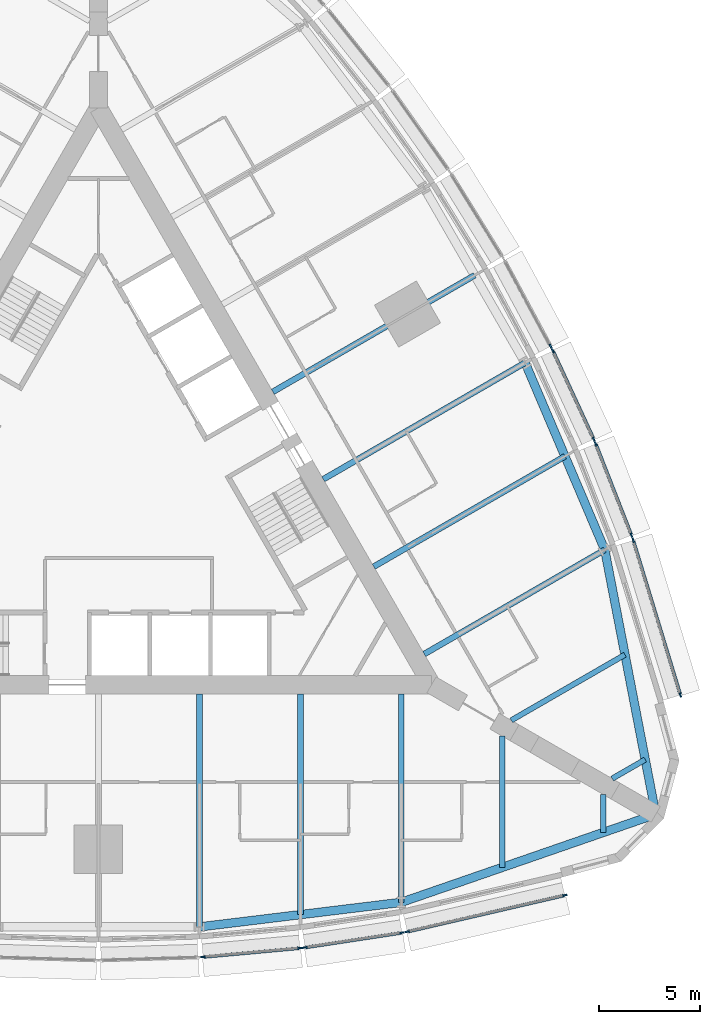
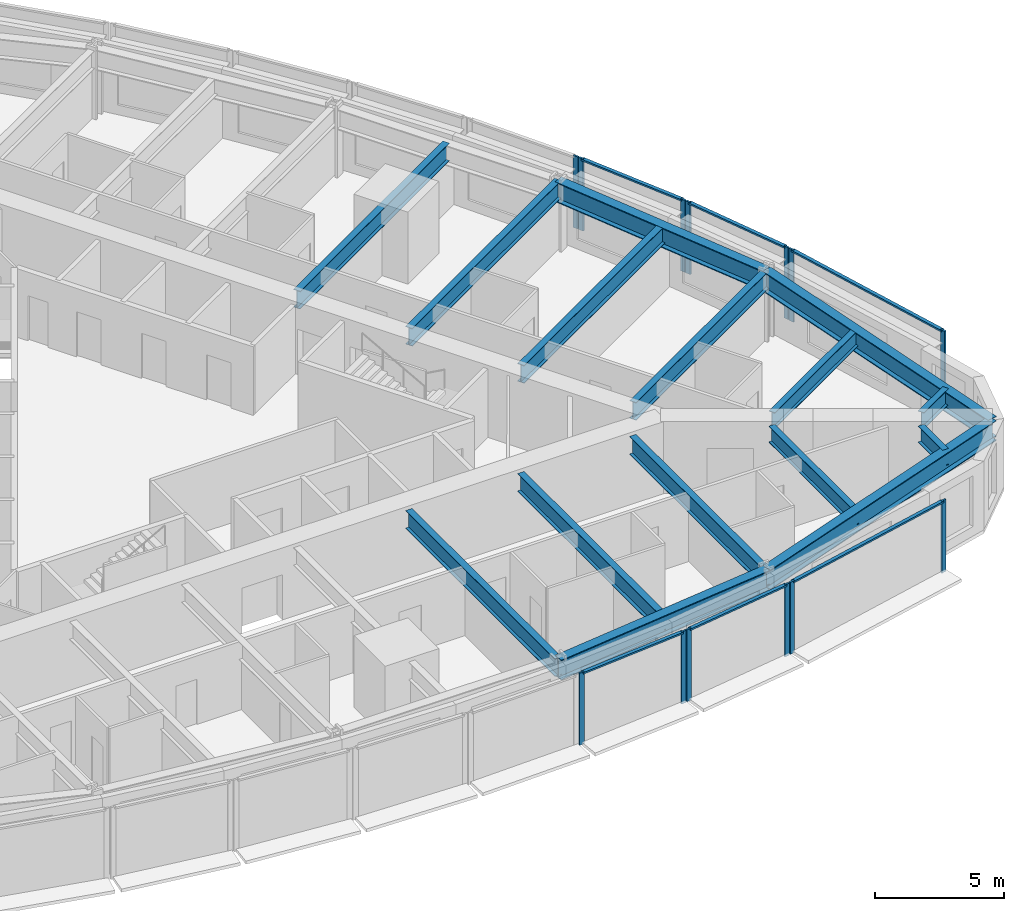
# One storey, part 3 of 14: 19 members, 15 beams, 7 elements without a shape of their own.
"""IFC4 building model written with IfcOpenShell, lengths in metres."""

import ifcopenshell
import ifcopenshell.guid

model = None  # the IFC model being written
_history = None  # IfcOwnerHistory: only IFC2X3 demands one
_inside = {}  # id of a spatial element -> (the spatial element, [elements in it])
_under = {}  # id of a project, library or spatial element -> (it, [spatial elements below it])
_declared = {}  # id of a project -> (the project, [libraries it declares])
_typed = {}  # id of a type object -> (the type object, [elements of that type])
_made_of = {}  # id of a material, layer set ... -> (it, [elements and type objects made of it])


def new_model(schema):
    """Start an empty IFC model of exactly this schema.

    Asked for "IFC4X3", IfcOpenShell would pick the latest addendum, in which some entities
    have other attributes; the version numbers below select the first issue.
    IFC2X3 requires an IfcOwnerHistory on every rooted entity: one is made here for all.
    """
    global model, _history
    if schema == "IFC4X3":
        model = ifcopenshell.file(schema_version=(4, 3, 0, 0))
    else:
        model = ifcopenshell.file(schema=schema)
    _inside.clear()
    _under.clear()
    _declared.clear()
    _typed.clear()
    _made_of.clear()
    _history = None
    if model.schema == "IFC2X3":
        org = make("IfcOrganization", Name="unknown")
        user = make(
            "IfcPersonAndOrganization",
            ThePerson=make("IfcPerson", FamilyName="unknown"),
            TheOrganization=org,
        )
        app = make(
            "IfcApplication",
            ApplicationDeveloper=org,
            Version="unknown",
            ApplicationFullName="unknown",
            ApplicationIdentifier="unknown",
        )
        _history = make(
            "IfcOwnerHistory",
            OwningUser=user,
            OwningApplication=app,
            ChangeAction="ADDED",
            CreationDate=0,
        )
    return model


def make(cls, **values):
    """One entity of the class cls with the attributes given. An attribute that is None is left unset."""
    return model.create_entity(
        cls, **{name: value for name, value in values.items() if value is not None}
    )


def rooted(cls, **values):
    """An entity with a GlobalId (a new one), such as an element, a storey or a relation."""
    return make(cls, GlobalId=ifcopenshell.guid.new(), OwnerHistory=_history, **values)


def si_unit(unit_type, name, prefix=None):
    """IfcSIUnit, for example si_unit("LENGTHUNIT", "METRE", prefix="MILLI")."""
    return make("IfcSIUnit", UnitType=unit_type, Prefix=prefix, Name=name)


def assignment(units):
    """IfcUnitAssignment: the units of a project."""
    return None if units is None else make("IfcUnitAssignment", Units=units)


def point(xyz):
    """IfcCartesianPoint."""
    return None if xyz is None else make("IfcCartesianPoint", Coordinates=xyz)


def direction(xyz):
    """IfcDirection."""
    return None if xyz is None else make("IfcDirection", DirectionRatios=xyz)


def frame(location, z_axis=None, x_axis=None):
    """IfcAxis2Placement3D, a coordinate frame: its origin and axes. An axis left out is left unset."""
    return make(
        "IfcAxis2Placement3D",
        Location=point(location),
        Axis=direction(z_axis),
        RefDirection=direction(x_axis),
    )


def frame_2d(location, x_axis=None):
    """IfcAxis2Placement2D, a coordinate frame in the plane: its origin and x axis."""
    return make(
        "IfcAxis2Placement2D", Location=point(location), RefDirection=direction(x_axis)
    )


def origin():
    """The frame at (0, 0, 0) with its axes left unset."""
    return frame((0.0, 0.0, 0.0))


def origin_2d():
    """The frame at (0, 0) in the plane with its x axis left unset."""
    return frame_2d((0.0, 0.0))


def place(relative_to, where):
    """IfcLocalPlacement: puts the frame where relative to a parent placement (None: the world)."""
    return make(
        "IfcLocalPlacement", PlacementRelTo=relative_to, RelativePlacement=where
    )


def context(
    kind, dimensions, precision=None, world=None, true_north=None, identifier=None
):
    """IfcGeometricRepresentationContext, for example the 3D "Model" context."""
    return make(
        "IfcGeometricRepresentationContext",
        ContextIdentifier=identifier,
        ContextType=kind,
        CoordinateSpaceDimension=dimensions,
        Precision=precision,
        WorldCoordinateSystem=world,
        TrueNorth=true_north,
    )


def subcontext(parent, identifier, kind, view, scale=None):
    """IfcGeometricRepresentationSubContext, for example "Body" below "Model"."""
    return make(
        "IfcGeometricRepresentationSubContext",
        ContextIdentifier=identifier,
        ContextType=kind,
        ParentContext=parent,
        TargetScale=scale,
        TargetView=view,
    )


def project(units=None, contexts=None):
    """IfcProject with its units and contexts."""
    return rooted(
        "IfcProject",
        Name="project",
        RepresentationContexts=contexts,
        UnitsInContext=assignment(units),
    )


def spatial(cls, under=None, at=None, **own):
    """A site, building, storey or space (cls), placed at a placement, below another one or the project."""
    s = rooted(cls, ObjectPlacement=at, **own)
    if under is not None:
        _under.setdefault(under.id(), (under, []))[1].append(s)
    return s


def profile(cls, at=None, kind="AREA", **sizes):
    """A parametric profile (cls). Its sizes go by their IFC names, for example OverallWidth=200.0."""
    return make(cls, ProfileType=kind, Position=at, **sizes)


def rectangle(**sizes):
    """IfcRectangleProfileDef."""
    return profile("IfcRectangleProfileDef", **sizes)


def i_section(**sizes):
    """IfcIShapeProfileDef."""
    return profile("IfcIShapeProfileDef", **sizes)


def extrude(swept, where, along, depth):
    """IfcExtrudedAreaSolid: the profile swept, set in the frame where, extruded along a direction by depth."""
    return make(
        "IfcExtrudedAreaSolid",
        SweptArea=swept,
        Position=where,
        ExtrudedDirection=direction(along),
        Depth=depth,
    )


def shape(context_of_items, identifier, shape_type, items):
    """IfcShapeRepresentation: the items that make up one representation, for example the "Body"."""
    return make(
        "IfcShapeRepresentation",
        ContextOfItems=context_of_items,
        RepresentationIdentifier=identifier,
        RepresentationType=shape_type,
        Items=items,
    )


def material(Name=None, Category=None):
    """IfcMaterial."""
    return make("IfcMaterial", Name=Name, Category=Category)


def material_profile(
    of_material, cross_section, Name=None, Category=None, Priority=None
):
    """IfcMaterialProfile: a cross section and its material."""
    return make(
        "IfcMaterialProfile",
        Name=Name,
        Material=of_material,
        Profile=cross_section,
        Priority=Priority,
        Category=Category,
    )


def profile_set(profiles, Name=None, composite=None):
    """IfcMaterialProfileSet."""
    return make(
        "IfcMaterialProfileSet",
        Name=Name,
        MaterialProfiles=profiles,
        CompositeProfile=composite,
    )


def made_of(thing, what):
    """Note that an element or type object is made of a material, layer set ...; save() writes the relation."""
    if what is not None:
        _made_of.setdefault(what.id(), (what, []))[1].append(thing)
    return thing


def type_object(cls, material=None, **own):
    """A type object (cls), such as IfcWallType, which elements share."""
    return made_of(rooted(cls, **own), material)


def element(
    cls,
    number,
    at=None,
    inside=None,
    cuts=None,
    type_object=None,
    material=None,
    context=None,
    identifier="Body",
    shape_type=None,
    held_by="IfcProductDefinitionShape",
    body=None,
    shapes=None,
    **own,
):
    """One element of the class cls, such as IfcWall. Its Tag is "e" and its number.

    at: its placement. inside: the storey or other place that contains it. cuts: it is an
    opening in that element (IfcRelVoidsElement). A single representation is given by context,
    identifier, shape_type and body (its items); several are given by shapes. held_by: the class
    of the entity that holds the representations. save() writes the other relations.
    """
    e = rooted(cls, Tag="e%d" % number, ObjectPlacement=at, **own)
    if body is not None:
        shapes = [shape(context, identifier, shape_type, body)]
    if shapes is not None:
        e.Representation = make(held_by, Representations=shapes)
    if inside is not None:
        _inside.setdefault(inside.id(), (inside, []))[1].append(e)
    if cuts is not None:
        rooted(
            "IfcRelVoidsElement", RelatingBuildingElement=cuts, RelatedOpeningElement=e
        )
    if type_object is not None:
        _typed.setdefault(type_object.id(), (type_object, []))[1].append(e)
    return made_of(e, material)


def aggregate(whole, parts):
    """IfcRelAggregates: a whole, such as a stair, and the parts it consists of."""
    return rooted("IfcRelAggregates", RelatingObject=whole, RelatedObjects=parts)


def save(model, path):
    """Write the relations noted so far, then the file.

    IfcRelAggregates (storeys below a building ...), IfcRelContainedInSpatialStructure (elements
    in a storey), IfcRelDefinesByType, IfcRelAssociatesMaterial and IfcRelDeclares: one each for
    every whole, place, type object, material and project.
    """
    for whole, parts in _under.values():
        aggregate(whole, parts)
    for where, things in _inside.values():
        rooted(
            "IfcRelContainedInSpatialStructure",
            RelatedElements=things,
            RelatingStructure=where,
        )
    for kind, things in _typed.values():
        rooted("IfcRelDefinesByType", RelatedObjects=things, RelatingType=kind)
    for what, things in _made_of.values():
        rooted("IfcRelAssociatesMaterial", RelatedObjects=things, RelatingMaterial=what)
    for by, libraries in _declared.values():
        rooted("IfcRelDeclares", RelatingContext=by, RelatedDefinitions=libraries)
    model.write(path)


model = new_model("IFC4")

# Units and contexts
model_context = context("Model", 3, precision=1e-05, world=origin(), true_north=direction((0.0, 1.0)))
body_context = subcontext(model_context, "Body", "Model", "MODEL_VIEW")
ifc_project = project(units=[si_unit("LENGTHUNIT", "METRE"), si_unit("AREAUNIT", "SQUARE_METRE"), si_unit("VOLUMEUNIT", "CUBIC_METRE"), si_unit("PLANEANGLEUNIT", "RADIAN"), si_unit("MASSUNIT", "GRAM", prefix="KILO")], contexts=[model_context])

# Site, building, storey
site_placement = place(None, origin())
site = spatial("IfcSite", under=ifc_project, at=site_placement, CompositionType="ELEMENT")
building_placement = place(site_placement, origin())
building = spatial("IfcBuilding", under=site, at=building_placement, Name="Trikona Tower", CompositionType="ELEMENT")
storey_placement = place(building_placement, frame((0.0, 0.0, 76.10009765625)))
storey = spatial("IfcBuildingStorey", under=building, at=storey_placement, Name="L19", CompositionType="ELEMENT", Elevation=76.10009765625)

# Curtain wall, members
ifc_material_1 = material(Name="Aluminium curtain wall system", Category="aluminium")
curtain_wall_type = type_object("IfcCurtainWallType", Name="Curtain wall DS1", PredefinedType="NOTDEFINED", material=ifc_material_1)
curtain_wall_1_placement = place(storey_placement, origin())
curtain_wall_1 = element("IfcCurtainWall", 1, at=curtain_wall_1_placement, inside=storey, type_object=curtain_wall_type, Name="Curtain wall DS1 L19", PredefinedType="NOTDEFINED")
ifc_material_2 = material(Name="Aluminium mullion, pale anodised", Category="aluminium")
ifc_material_profile_1 = material_profile(ifc_material_2, rectangle(XDim=0.080078125, YDim=0.219970703125, at=origin_2d()), Name="MUL-DS1")
ifc_profile_set_1 = profile_set([ifc_material_profile_1], Name="Aluminium mullion, pale anodised")
member_type_1 = type_object("IfcMemberType", Name="Mullion DS1 80x220", PredefinedType="MULLION", material=ifc_profile_set_1)
member_1_placement = place(storey_placement, frame((5.181396484375, -23.007568359375, 0.0), z_axis=(0.0, 0.0, 1.0), x_axis=(-0.090923932737, 0.995857840485, 0.0)))
member_1 = element("IfcMember", 2, at=member_1_placement, type_object=member_type_1, Name="CW-DS1 mullion 1", PredefinedType="MULLION", context=body_context, shape_type="SweptSolid", body=[
    extrude(rectangle(XDim=0.080078125, YDim=0.219970703125, at=origin_2d()), origin(), (0.0, 0.0, 1.0), 3.39990234375),
])
member_2_placement = place(storey_placement, frame((9.982177734375, -22.5693359375, 0.0), z_axis=(0.0, 0.0, 1.0), x_axis=(-0.090923932737, 0.995857840485, 0.0)))
member_2 = element("IfcMember", 3, at=member_2_placement, type_object=member_type_1, Name="CW-DS1 mullion 2", PredefinedType="MULLION", context=body_context, shape_type="SweptSolid", body=[
    extrude(rectangle(XDim=0.080078125, YDim=0.219970703125, at=origin_2d()), origin(), (0.0, 0.0, 1.0), 3.39990234375),
])

curtain_wall_2_placement = place(storey_placement, origin())
curtain_wall_2 = element("IfcCurtainWall", 4, at=curtain_wall_2_placement, inside=storey, type_object=curtain_wall_type, Name="Curtain wall DS1 L19", PredefinedType="NOTDEFINED")
member_3_placement = place(storey_placement, frame((10.234130859375, -22.53857421875, 0.0), z_axis=(0.0, 0.0, 1.0), x_axis=(-0.150437693845, 0.988619492156, 0.0)))
member_3 = element("IfcMember", 5, at=member_3_placement, type_object=member_type_1, Name="CW-DS1 mullion 1", PredefinedType="MULLION", context=body_context, shape_type="SweptSolid", body=[
    extrude(rectangle(XDim=0.080078125, YDim=0.219970703125, at=origin_2d()), origin(), (0.0, 0.0, 1.0), 3.39990234375),
])
member_4_placement = place(storey_placement, frame((15.03662109375, -21.807861328125, 0.0), z_axis=(0.0, 0.0, 1.0), x_axis=(-0.150437693845, 0.988619492156, 0.0)))
member_4 = element("IfcMember", 6, at=member_4_placement, type_object=member_type_1, Name="CW-DS1 mullion 2", PredefinedType="MULLION", context=body_context, shape_type="SweptSolid", body=[
    extrude(rectangle(XDim=0.080078125, YDim=0.219970703125, at=origin_2d()), origin(), (0.0, 0.0, 1.0), 3.39990234375),
])

curtain_wall_3_placement = place(storey_placement, origin())
curtain_wall_3 = element("IfcCurtainWall", 7, at=curtain_wall_3_placement, inside=storey, type_object=curtain_wall_type, Name="Curtain wall DS1 L19", PredefinedType="NOTDEFINED")
member_5_placement = place(storey_placement, frame((15.30029296875, -21.75732421875, 0.0), z_axis=(0.0, 0.0, 1.0), x_axis=(-0.225343288756, 0.974279427173, 0.0)))
member_5 = element("IfcMember", 8, at=member_5_placement, type_object=member_type_1, Name="CW-DS1 mullion 1", PredefinedType="MULLION", context=body_context, shape_type="SweptSolid", body=[
    extrude(rectangle(XDim=0.080078125, YDim=0.219970703125, at=origin_2d()), origin(), (0.0, 0.0, 1.0), 3.39990234375),
])
member_6_placement = place(storey_placement, frame((23.10546875, -19.951904296875, 0.0), z_axis=(0.0, 0.0, 1.0), x_axis=(-0.225343288756, 0.974279427173, 0.0)))
member_6 = element("IfcMember", 9, at=member_6_placement, type_object=member_type_1, Name="CW-DS1 mullion 2", PredefinedType="MULLION", context=body_context, shape_type="SweptSolid", body=[
    extrude(rectangle(XDim=0.080078125, YDim=0.219970703125, at=origin_2d()), origin(), (0.0, 0.0, 1.0), 3.39990234375),
])

curtain_wall_4_placement = place(storey_placement, origin())
curtain_wall_4 = element("IfcCurtainWall", 10, at=curtain_wall_4_placement, inside=storey, type_object=curtain_wall_type, Name="Curtain wall DS1 L19", PredefinedType="NOTDEFINED")
member_7_placement = place(storey_placement, frame((28.83154296875, -10.033935546875, 0.0), z_axis=(0.0, 0.0, 1.0), x_axis=(-0.956423115383, -0.291984287868, 0.0)))
member_7 = element("IfcMember", 11, at=member_7_placement, type_object=member_type_1, Name="CW-DS1 mullion 1", PredefinedType="MULLION", context=body_context, shape_type="SweptSolid", body=[
    extrude(rectangle(XDim=0.080078125, YDim=0.219970703125, at=origin_2d()), origin(), (0.0, 0.0, 1.0), 3.39990234375),
])
member_8_placement = place(storey_placement, frame((26.492431640625, -2.371826171875, 0.0), z_axis=(0.0, 0.0, 1.0), x_axis=(-0.956423115383, -0.291984287868, 0.0)))
member_8 = element("IfcMember", 12, at=member_8_placement, type_object=member_type_1, Name="CW-DS1 mullion 2", PredefinedType="MULLION", context=body_context, shape_type="SweptSolid", body=[
    extrude(rectangle(XDim=0.080078125, YDim=0.219970703125, at=origin_2d()), origin(), (0.0, 0.0, 1.0), 3.39990234375),
])

curtain_wall_5_placement = place(storey_placement, origin())
curtain_wall_5 = element("IfcCurtainWall", 13, at=curtain_wall_5_placement, inside=storey, type_object=curtain_wall_type, Name="Curtain wall DS1 L19", PredefinedType="NOTDEFINED")
member_9_placement = place(storey_placement, frame((26.404296875, -2.1181640625, 0.0), z_axis=(0.0, 0.0, 1.0), x_axis=(-0.931395989443, -0.36400756977, 0.0)))
member_9 = element("IfcMember", 14, at=member_9_placement, type_object=member_type_1, Name="CW-DS1 mullion 1", PredefinedType="MULLION", context=body_context, shape_type="SweptSolid", body=[
    extrude(rectangle(XDim=0.080078125, YDim=0.219970703125, at=origin_2d()), origin(), (0.0, 0.0, 1.0), 3.39990234375),
])
member_10_placement = place(storey_placement, frame((24.63623046875, 2.40625, 0.0), z_axis=(0.0, 0.0, 1.0), x_axis=(-0.931395989443, -0.36400756977, 0.0)))
member_10 = element("IfcMember", 15, at=member_10_placement, type_object=member_type_1, Name="CW-DS1 mullion 2", PredefinedType="MULLION", context=body_context, shape_type="SweptSolid", body=[
    extrude(rectangle(XDim=0.080078125, YDim=0.219970703125, at=origin_2d()), origin(), (0.0, 0.0, 1.0), 3.39990234375),
])

curtain_wall_6_placement = place(storey_placement, origin())
curtain_wall_6 = element("IfcCurtainWall", 16, at=curtain_wall_6_placement, inside=storey, type_object=curtain_wall_type, Name="Curtain wall DS1 L19", PredefinedType="NOTDEFINED")
member_11_placement = place(storey_placement, frame((24.53662109375, 2.6396484375, 0.0), z_axis=(0.0, 0.0, 1.0), x_axis=(-0.907898459992, -0.419190155352, 0.0)))
member_11 = element("IfcMember", 17, at=member_11_placement, type_object=member_type_1, Name="CW-DS1 mullion 1", PredefinedType="MULLION", context=body_context, shape_type="SweptSolid", body=[
    extrude(rectangle(XDim=0.080078125, YDim=0.219970703125, at=origin_2d()), origin(), (0.0, 0.0, 1.0), 3.39990234375),
])
member_12_placement = place(storey_placement, frame((22.515869140625, 7.0166015625, 0.0), z_axis=(0.0, 0.0, 1.0), x_axis=(-0.907898459992, -0.419190155352, 0.0)))
member_12 = element("IfcMember", 18, at=member_12_placement, type_object=member_type_1, Name="CW-DS1 mullion 2", PredefinedType="MULLION", context=body_context, shape_type="SweptSolid", body=[
    extrude(rectangle(XDim=0.080078125, YDim=0.219970703125, at=origin_2d()), origin(), (0.0, 0.0, 1.0), 3.39990234375),
])

# Curtain wall, member
curtain_wall_7_placement = place(storey_placement, origin())
curtain_wall_7 = element("IfcCurtainWall", 19, at=curtain_wall_7_placement, inside=storey, type_object=curtain_wall_type, Name="Curtain wall DS1 L19", PredefinedType="NOTDEFINED")
member_13_placement = place(storey_placement, frame((22.402099609375, 7.244140625, 0.0), z_axis=(0.0, 0.0, 1.0), x_axis=(-0.880843080975, -0.473408350896, 0.0)))
member_13 = element("IfcMember", 20, at=member_13_placement, type_object=member_type_1, Name="CW-DS1 mullion 1", PredefinedType="MULLION", context=body_context, shape_type="SweptSolid", body=[
    extrude(rectangle(XDim=0.080078125, YDim=0.219970703125, at=origin_2d()), origin(), (0.0, 0.0, 1.0), 3.39990234375),
])
aggregate(curtain_wall_7, [member_13])

# Beams
ifc_material_3 = material(Name="Steel ASTM A992 Grade 50", Category="steel")
ifc_material_profile_2 = material_profile(ifc_material_3, i_section(OverallWidth=0.2666015625, OverallDepth=0.76953125, WebThickness=0.015625, FlangeThickness=0.025390625, at=origin_2d()), Name="W30X132")
ifc_profile_set_2 = profile_set([ifc_material_profile_2], Name="Steel ASTM A992 Grade 50")
beam_type_1 = type_object("IfcBeamType", Name="Steel beam W30x132 (wedge)", PredefinedType="BEAM", material=ifc_profile_set_2)
beam_1_placement = place(storey_placement, frame((20.0, -12.066650390625, 2.85009765625), z_axis=(0.0, -1.0, 0.0), x_axis=(1.0, 0.0, 0.0)))
element("IfcBeam", 21, at=beam_1_placement, inside=storey, type_object=beam_type_1, Name="Floor beam L20 F1 u20", PredefinedType="BEAM", context=body_context, shape_type="SweptSolid", body=[
    extrude(i_section(OverallWidth=0.2666015625, OverallDepth=0.76953125, WebThickness=0.015625, FlangeThickness=0.025390625, at=origin_2d()), origin(), (0.0, 0.0, 1.0), 6.5068359375),
])
for number, where, z_axis, x_axis, name in (
    (22, (25.0, -14.953369140625, 2.85009765625), (0.0, -1.0, 0.0), (1.0, 0.0, 0.0), "Floor beam L20 F1 u25"),
    (23, (25.449951171875, -14.173828125, 2.85009765625), (0.866065156741, 0.499931139538, 0.0), (-0.499931139538, 0.866065156741, 0.0), "Floor beam L20 F2 u-25"),
):
    element("IfcBeam", number, at=place(storey_placement, frame(where, z_axis=z_axis, x_axis=x_axis)), inside=storey, type_object=beam_type_1, Name=name, PredefinedType="BEAM", context=body_context, shape_type="SweptSolid", body=[
        extrude(i_section(OverallWidth=0.2666015625, OverallDepth=0.76953125, WebThickness=0.015625, FlangeThickness=0.025390625, at=origin_2d()), origin(), (0.0, 0.0, 1.0), 1.890380859375),
    ])
beam_2_placement = place(storey_placement, frame((20.449951171875, -11.287109375, 2.85009765625), z_axis=(0.866022504693, 0.50000502134, 0.0), x_axis=(-0.50000502134, 0.866022504693, 0.0)))
element("IfcBeam", 24, at=beam_2_placement, inside=storey, type_object=beam_type_1, Name="Floor beam L20 F2 u-20", PredefinedType="BEAM", context=body_context, shape_type="SweptSolid", body=[
    extrude(i_section(OverallWidth=0.2666015625, OverallDepth=0.76953125, WebThickness=0.015625, FlangeThickness=0.025390625, at=origin_2d()), origin(), (0.0, 0.0, 1.0), 6.5068359375),
])
ifc_material_4 = material(Name="Steel ASTM A992 Grade 50", Category="steel")
ifc_material_profile_3 = material_profile(ifc_material_4, i_section(OverallWidth=0.2919921875, OverallDepth=0.845703125, WebThickness=0.015380859375, FlangeThickness=0.0244140625, at=origin_2d()), Name="W33X141")
ifc_profile_set_3 = profile_set([ifc_material_profile_3], Name="Steel ASTM A992 Grade 50")
beam_type_2 = type_object("IfcBeamType", Name="Steel beam W33x141 (radial typ)", PredefinedType="BEAM", material=ifc_profile_set_3)
beam_3_placement = place(storey_placement, frame((5.0, -9.976318359375, 2.81201171875), z_axis=(0.0, -1.0, 0.0), x_axis=(1.0, 0.0, 0.0)))
element("IfcBeam", 25, at=beam_3_placement, inside=storey, type_object=beam_type_2, Name="Floor beam L20 F1 u5", PredefinedType="BEAM", context=body_context, shape_type="SweptSolid", body=[
    extrude(i_section(OverallWidth=0.2919921875, OverallDepth=0.845703125, WebThickness=0.015380859375, FlangeThickness=0.0244140625, at=origin_2d()), origin(), (0.0, 0.0, 1.0), 11.544189453125),
])
beam_4_placement = place(storey_placement, frame((10.0, -9.976318359375, 2.81201171875), z_axis=(0.0, -1.0, 0.0), x_axis=(1.0, 0.0, 0.0)))
element("IfcBeam", 26, at=beam_4_placement, inside=storey, type_object=beam_type_2, Name="Floor beam L20 F1 u10", PredefinedType="BEAM", context=body_context, shape_type="SweptSolid", body=[
    extrude(i_section(OverallWidth=0.2919921875, OverallDepth=0.845703125, WebThickness=0.015380859375, FlangeThickness=0.0244140625, at=origin_2d()), origin(), (0.0, 0.0, 1.0), 10.935302734375),
])
beam_5_placement = place(storey_placement, frame((15.0, -9.976318359375, 2.81201171875), z_axis=(0.0, -1.0, 0.0), x_axis=(1.0, 0.0, 0.0)))
element("IfcBeam", 27, at=beam_5_placement, inside=storey, type_object=beam_type_2, Name="Floor beam L20 F1 u15", PredefinedType="BEAM", context=body_context, shape_type="SweptSolid", body=[
    extrude(i_section(OverallWidth=0.2919921875, OverallDepth=0.845703125, WebThickness=0.015380859375, FlangeThickness=0.0244140625, at=origin_2d()), origin(), (0.0, 0.0, 1.0), 10.32666015625),
])
beam_6_placement = place(storey_placement, frame((16.1396484375, -8.002197265625, 2.81201171875), z_axis=(0.866030471684, 0.499991222037, 0.0), x_axis=(-0.499991222037, 0.866030471684, 0.0)))
element("IfcBeam", 28, at=beam_6_placement, inside=storey, type_object=beam_type_2, Name="Floor beam L20 F2 u-15", PredefinedType="BEAM", context=body_context, shape_type="SweptSolid", body=[
    extrude(i_section(OverallWidth=0.2919921875, OverallDepth=0.845703125, WebThickness=0.015380859375, FlangeThickness=0.0244140625, at=origin_2d()), origin(), (0.0, 0.0, 1.0), 10.326904296875),
])
beam_7_placement = place(storey_placement, frame((13.6396484375, -3.672119140625, 2.81201171875), z_axis=(0.866025348605, 0.500000095573, 0.0), x_axis=(-0.500000095573, 0.866025348605, 0.0)))
element("IfcBeam", 29, at=beam_7_placement, inside=storey, type_object=beam_type_2, Name="Floor beam L20 F2 u-10", PredefinedType="BEAM", context=body_context, shape_type="SweptSolid", body=[
    extrude(i_section(OverallWidth=0.2919921875, OverallDepth=0.845703125, WebThickness=0.015380859375, FlangeThickness=0.0244140625, at=origin_2d()), origin(), (0.0, 0.0, 1.0), 10.935546875),
])
for number, where, z_axis, x_axis, name in (
    (30, (11.1396484375, 0.657958984375, 2.81201171875), (0.866020765707, 0.500008033299, 0.0), (-0.500008033299, 0.866020765707, 0.0), "Floor beam L20 F2 u-5"),
    (31, (8.6396484375, 4.988037109375, 2.81201171875), (0.866020765707, 0.500008033299, 0.0), (-0.500008033299, 0.866020765707, 0.0), "Floor beam L20 F2 u0"),
):
    element("IfcBeam", number, at=place(storey_placement, frame(where, z_axis=z_axis, x_axis=x_axis)), inside=storey, type_object=beam_type_2, Name=name, PredefinedType="BEAM", context=body_context, shape_type="SweptSolid", body=[
        extrude(i_section(OverallWidth=0.2919921875, OverallDepth=0.845703125, WebThickness=0.015380859375, FlangeThickness=0.0244140625, at=origin_2d()), origin(), (0.0, 0.0, 1.0), 11.544189453125),
    ])
ifc_material_5 = material(Name="Steel ASTM A992 Grade 50", Category="steel")
ifc_material_profile_4 = material_profile(ifc_material_5, i_section(OverallWidth=0.424072265625, OverallDepth=0.947509765625, WebThickness=0.02392578125, FlangeThickness=0.042724609375, at=origin_2d()), Name="W36X302")
ifc_profile_set_4 = profile_set([ifc_material_profile_4], Name="Steel ASTM A992 Grade 50")
beam_type_3 = type_object("IfcBeamType", Name="Steel beam W36x302 (spandrel)", PredefinedType="SPANDREL", material=ifc_profile_set_4)
beam_8_placement = place(storey_placement, frame((5.0, -21.5205078125, 2.76123046875), z_axis=(0.99266951126, 0.120860421207, 0.0), x_axis=(-0.120860421207, 0.99266951126, 0.0)))
element("IfcBeam", 32, at=beam_8_placement, inside=storey, type_object=beam_type_3, Name="Spandrel beam L20 F1-4", PredefinedType="SPANDREL", context=body_context, shape_type="SweptSolid", body=[
    extrude(i_section(OverallWidth=0.424072265625, OverallDepth=0.947509765625, WebThickness=0.02392578125, FlangeThickness=0.042724609375, at=origin_2d()), origin(), (0.0, 0.0, 1.0), 10.07373046875),
])
for number, where, z_axis, x_axis, name in (
    (33, (15.0, -20.302978515625, 2.76123046875), (0.945056965739, 0.326905692071, 0.0), (-0.326905692071, 0.945056965739, 0.0), "Spandrel beam L20 F1-5"),
    (34, (27.6103515625, -15.94091796875, 2.76123046875), (-0.189405184036, 0.981899015307, 0.0), (-0.981899015307, -0.189405184036, 0.0), "Spandrel beam L20 F2-1"),
):
    element("IfcBeam", number, at=place(storey_placement, frame(where, z_axis=z_axis, x_axis=x_axis)), inside=storey, type_object=beam_type_3, Name=name, PredefinedType="SPANDREL", context=body_context, shape_type="SweptSolid", body=[
        extrude(i_section(OverallWidth=0.424072265625, OverallDepth=0.947509765625, WebThickness=0.02392578125, FlangeThickness=0.042724609375, at=origin_2d()), origin(), (0.0, 0.0, 1.0), 13.343505859375),
    ])
beam_9_placement = place(storey_placement, frame((25.0830078125, -2.8388671875, 2.76123046875), z_axis=(-0.391683514847, 0.920100007715, 0.0), x_axis=(-0.920100007715, -0.391683514847, 0.0)))
element("IfcBeam", 35, at=beam_9_placement, inside=storey, type_object=beam_type_3, Name="Spandrel beam L20 F2-2", PredefinedType="SPANDREL", context=body_context, shape_type="SweptSolid", body=[
    extrude(i_section(OverallWidth=0.424072265625, OverallDepth=0.947509765625, WebThickness=0.02392578125, FlangeThickness=0.042724609375, at=origin_2d()), origin(), (0.0, 0.0, 1.0), 10.073974609375),
])

# Member
ifc_material_6 = material(Name="Aluminium transom, pale anodised", Category="aluminium")
ifc_material_profile_5 = material_profile(ifc_material_6, rectangle(XDim=0.159912109375, YDim=0.080078125, at=origin_2d()), Name="TRN-DS1")
ifc_profile_set_5 = profile_set([ifc_material_profile_5], Name="Aluminium transom, pale anodised")
member_type_2 = type_object("IfcMemberType", Name="Transom DS1 80x160", PredefinedType="USERDEFINED", material=ifc_profile_set_5)
member_14_placement = place(storey_placement, frame((5.22119140625, -23.00390625, 3.35986328125), z_axis=(0.995855977008, 0.090944340438, 0.0), x_axis=(-0.090944340438, 0.995855977008, 0.0)))
member_14 = element("IfcMember", 36, at=member_14_placement, type_object=member_type_2, Name="CW-DS1 transom 1.1", ObjectType="TRANSOM", PredefinedType="USERDEFINED", context=body_context, shape_type="SweptSolid", body=[
    extrude(rectangle(XDim=0.159912109375, YDim=0.080078125, at=origin_2d()), origin(), (0.0, 0.0, 1.0), 4.74072265625),
])

aggregate(curtain_wall_1, [member_1, member_2, member_14])

member_15_placement = place(storey_placement, frame((10.273681640625, -22.532470703125, 3.35986328125), z_axis=(0.988619663412, 0.150436568413, 0.0), x_axis=(-0.150436568413, 0.988619663412, 0.0)))
member_15 = element("IfcMember", 37, at=member_15_placement, type_object=member_type_2, Name="CW-DS1 transom 1.1", ObjectType="TRANSOM", PredefinedType="USERDEFINED", context=body_context, shape_type="SweptSolid", body=[
    extrude(rectangle(XDim=0.159912109375, YDim=0.080078125, at=origin_2d()), origin(), (0.0, 0.0, 1.0), 4.77783203125),
])

aggregate(curtain_wall_2, [member_3, member_4, member_15])

member_16_placement = place(storey_placement, frame((15.33935546875, -21.748291015625, 3.35986328125), z_axis=(0.974275371842, 0.225360821398, 0.0), x_axis=(-0.225360821398, 0.974275371842, 0.0)))
member_16 = element("IfcMember", 38, at=member_16_placement, type_object=member_type_2, Name="CW-DS1 transom 1.1", ObjectType="TRANSOM", PredefinedType="USERDEFINED", context=body_context, shape_type="SweptSolid", body=[
    extrude(rectangle(XDim=0.159912109375, YDim=0.080078125, at=origin_2d()), origin(), (0.0, 0.0, 1.0), 7.93115234375),
])

aggregate(curtain_wall_3, [member_5, member_6, member_16])

member_17_placement = place(storey_placement, frame((28.81982421875, -9.99560546875, 3.35986328125), z_axis=(-0.291967490203, 0.956428243343, 0.0), x_axis=(-0.956428243343, -0.291967490203, 0.0)))
member_17 = element("IfcMember", 39, at=member_17_placement, type_object=member_type_2, Name="CW-DS1 transom 1.1", ObjectType="TRANSOM", PredefinedType="USERDEFINED", context=body_context, shape_type="SweptSolid", body=[
    extrude(rectangle(XDim=0.159912109375, YDim=0.080078125, at=origin_2d()), origin(), (0.0, 0.0, 1.0), 7.93115234375),
])

aggregate(curtain_wall_4, [member_7, member_8, member_17])

member_18_placement = place(storey_placement, frame((26.389892578125, -2.080810546875, 3.35986328125), z_axis=(-0.364048647668, 0.931379934362, 0.0), x_axis=(-0.931379934362, -0.364048647668, 0.0)))
member_18 = element("IfcMember", 40, at=member_18_placement, type_object=member_type_2, Name="CW-DS1 transom 1.1", ObjectType="TRANSOM", PredefinedType="USERDEFINED", context=body_context, shape_type="SweptSolid", body=[
    extrude(rectangle(XDim=0.159912109375, YDim=0.080078125, at=origin_2d()), origin(), (0.0, 0.0, 1.0), 4.777587890625),
])

aggregate(curtain_wall_5, [member_9, member_10, member_18])

member_19_placement = place(storey_placement, frame((24.52001953125, 2.676025390625, 3.35986328125), z_axis=(-0.419188800665, 0.90789908547, 0.0), x_axis=(-0.90789908547, -0.419188800665, 0.0)))
member_19 = element("IfcMember", 41, at=member_19_placement, type_object=member_type_2, Name="CW-DS1 transom 1.1", ObjectType="TRANSOM", PredefinedType="USERDEFINED", context=body_context, shape_type="SweptSolid", body=[
    extrude(rectangle(XDim=0.159912109375, YDim=0.080078125, at=origin_2d()), origin(), (0.0, 0.0, 1.0), 4.74072265625),
])

aggregate(curtain_wall_6, [member_11, member_12, member_19])

save(model, "model.ifc")
